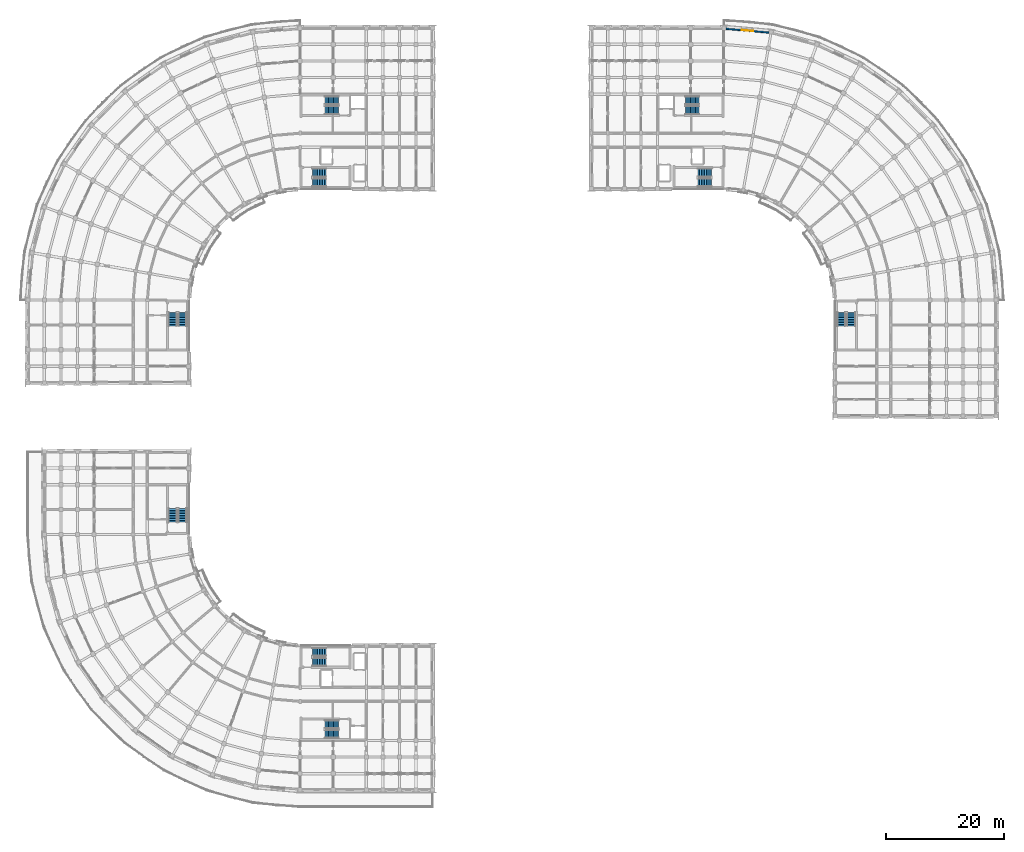
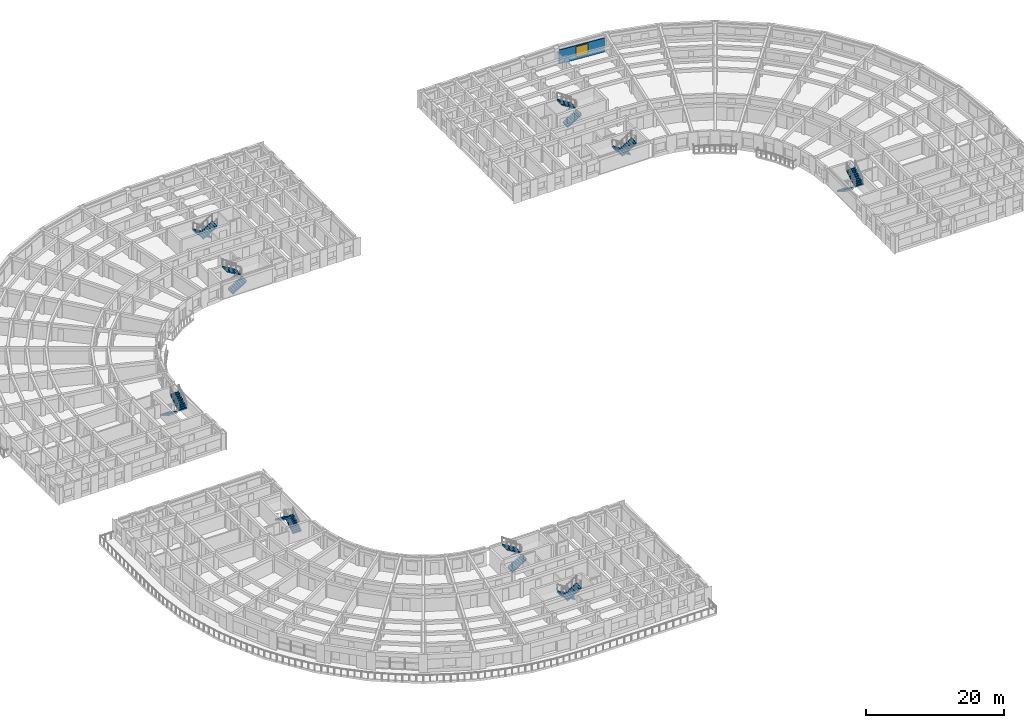
# One storey, part 38 of 57: 18 stair flights, 1 wall, 1 window, 1 opening, 9 elements without a shape of their own.
"""IFC4 building model written with IfcOpenShell, lengths in metres."""

import ifcopenshell
import ifcopenshell.guid

model = None  # the IFC model being written
_history = None  # IfcOwnerHistory: only IFC2X3 demands one
_inside = {}  # id of a spatial element -> (the spatial element, [elements in it])
_under = {}  # id of a project, library or spatial element -> (it, [spatial elements below it])
_declared = {}  # id of a project -> (the project, [libraries it declares])
_typed = {}  # id of a type object -> (the type object, [elements of that type])
_made_of = {}  # id of a material, layer set ... -> (it, [elements and type objects made of it])


def new_model(schema):
    """Start an empty IFC model of exactly this schema.

    Asked for "IFC4X3", IfcOpenShell would pick the latest addendum, in which some entities
    have other attributes; the version numbers below select the first issue.
    IFC2X3 requires an IfcOwnerHistory on every rooted entity: one is made here for all.
    """
    global model, _history
    if schema == "IFC4X3":
        model = ifcopenshell.file(schema_version=(4, 3, 0, 0))
    else:
        model = ifcopenshell.file(schema=schema)
    _inside.clear()
    _under.clear()
    _declared.clear()
    _typed.clear()
    _made_of.clear()
    _history = None
    if model.schema == "IFC2X3":
        org = make("IfcOrganization", Name="unknown")
        user = make(
            "IfcPersonAndOrganization",
            ThePerson=make("IfcPerson", FamilyName="unknown"),
            TheOrganization=org,
        )
        app = make(
            "IfcApplication",
            ApplicationDeveloper=org,
            Version="unknown",
            ApplicationFullName="unknown",
            ApplicationIdentifier="unknown",
        )
        _history = make(
            "IfcOwnerHistory",
            OwningUser=user,
            OwningApplication=app,
            ChangeAction="ADDED",
            CreationDate=0,
        )
    return model


def make(cls, **values):
    """One entity of the class cls with the attributes given. An attribute that is None is left unset."""
    return model.create_entity(
        cls, **{name: value for name, value in values.items() if value is not None}
    )


def rooted(cls, **values):
    """An entity with a GlobalId (a new one), such as an element, a storey or a relation."""
    return make(cls, GlobalId=ifcopenshell.guid.new(), OwnerHistory=_history, **values)


def si_unit(unit_type, name, prefix=None):
    """IfcSIUnit, for example si_unit("LENGTHUNIT", "METRE", prefix="MILLI")."""
    return make("IfcSIUnit", UnitType=unit_type, Prefix=prefix, Name=name)


def assignment(units):
    """IfcUnitAssignment: the units of a project."""
    return None if units is None else make("IfcUnitAssignment", Units=units)


def point(xyz):
    """IfcCartesianPoint."""
    return None if xyz is None else make("IfcCartesianPoint", Coordinates=xyz)


def direction(xyz):
    """IfcDirection."""
    return None if xyz is None else make("IfcDirection", DirectionRatios=xyz)


def frame(location, z_axis=None, x_axis=None):
    """IfcAxis2Placement3D, a coordinate frame: its origin and axes. An axis left out is left unset."""
    return make(
        "IfcAxis2Placement3D",
        Location=point(location),
        Axis=direction(z_axis),
        RefDirection=direction(x_axis),
    )


def frame_2d(location, x_axis=None):
    """IfcAxis2Placement2D, a coordinate frame in the plane: its origin and x axis."""
    return make(
        "IfcAxis2Placement2D", Location=point(location), RefDirection=direction(x_axis)
    )


def origin():
    """The frame at (0, 0, 0) with its axes left unset."""
    return frame((0.0, 0.0, 0.0))


def place(relative_to, where):
    """IfcLocalPlacement: puts the frame where relative to a parent placement (None: the world)."""
    return make(
        "IfcLocalPlacement", PlacementRelTo=relative_to, RelativePlacement=where
    )


def context(
    kind, dimensions, precision=None, world=None, true_north=None, identifier=None
):
    """IfcGeometricRepresentationContext, for example the 3D "Model" context."""
    return make(
        "IfcGeometricRepresentationContext",
        ContextIdentifier=identifier,
        ContextType=kind,
        CoordinateSpaceDimension=dimensions,
        Precision=precision,
        WorldCoordinateSystem=world,
        TrueNorth=true_north,
    )


def subcontext(parent, identifier, kind, view, scale=None):
    """IfcGeometricRepresentationSubContext, for example "Body" below "Model"."""
    return make(
        "IfcGeometricRepresentationSubContext",
        ContextIdentifier=identifier,
        ContextType=kind,
        ParentContext=parent,
        TargetScale=scale,
        TargetView=view,
    )


def project(units=None, contexts=None):
    """IfcProject with its units and contexts."""
    return rooted(
        "IfcProject",
        Name="project",
        RepresentationContexts=contexts,
        UnitsInContext=assignment(units),
    )


def spatial(cls, under=None, at=None, **own):
    """A site, building, storey or space (cls), placed at a placement, below another one or the project."""
    s = rooted(cls, ObjectPlacement=at, **own)
    if under is not None:
        _under.setdefault(under.id(), (under, []))[1].append(s)
    return s


def polyline(points):
    """IfcPolyline through the points."""
    return make("IfcPolyline", Points=[point(p) for p in points])


def profile(cls, at=None, kind="AREA", **sizes):
    """A parametric profile (cls). Its sizes go by their IFC names, for example OverallWidth=200.0."""
    return make(cls, ProfileType=kind, Position=at, **sizes)


def rectangle(**sizes):
    """IfcRectangleProfileDef."""
    return profile("IfcRectangleProfileDef", **sizes)


def outline(outer, holes=None, kind="AREA"):
    """IfcArbitraryClosedProfileDef: a profile drawn as a closed curve; with holes, ...WithVoids."""
    if holes is None:
        return make("IfcArbitraryClosedProfileDef", ProfileType=kind, OuterCurve=outer)
    return make(
        "IfcArbitraryProfileDefWithVoids",
        ProfileType=kind,
        OuterCurve=outer,
        InnerCurves=holes,
    )


def extrude(swept, where, along, depth):
    """IfcExtrudedAreaSolid: the profile swept, set in the frame where, extruded along a direction by depth."""
    return make(
        "IfcExtrudedAreaSolid",
        SweptArea=swept,
        Position=where,
        ExtrudedDirection=direction(along),
        Depth=depth,
    )


def shape(context_of_items, identifier, shape_type, items):
    """IfcShapeRepresentation: the items that make up one representation, for example the "Body"."""
    return make(
        "IfcShapeRepresentation",
        ContextOfItems=context_of_items,
        RepresentationIdentifier=identifier,
        RepresentationType=shape_type,
        Items=items,
    )


def material(Name=None, Category=None):
    """IfcMaterial."""
    return make("IfcMaterial", Name=Name, Category=Category)


def layer(
    of_material, thickness, ventilated=None, Name=None, Category=None, Priority=None
):
    """IfcMaterialLayer: one layer of a wall or slab, of a material (None: an air gap)."""
    return make(
        "IfcMaterialLayer",
        Material=of_material,
        LayerThickness=thickness,
        IsVentilated=ventilated,
        Name=Name,
        Category=Category,
        Priority=Priority,
    )


def layer_set(layers, Name=None):
    """IfcMaterialLayerSet."""
    return make("IfcMaterialLayerSet", MaterialLayers=layers, LayerSetName=Name)


def made_of(thing, what):
    """Note that an element or type object is made of a material, layer set ...; save() writes the relation."""
    if what is not None:
        _made_of.setdefault(what.id(), (what, []))[1].append(thing)
    return thing


def type_object(cls, material=None, **own):
    """A type object (cls), such as IfcWallType, which elements share."""
    return made_of(rooted(cls, **own), material)


def element(
    cls,
    number,
    at=None,
    inside=None,
    cuts=None,
    type_object=None,
    material=None,
    context=None,
    identifier="Body",
    shape_type=None,
    held_by="IfcProductDefinitionShape",
    body=None,
    shapes=None,
    **own,
):
    """One element of the class cls, such as IfcWall. Its Tag is "e" and its number.

    at: its placement. inside: the storey or other place that contains it. cuts: it is an
    opening in that element (IfcRelVoidsElement). A single representation is given by context,
    identifier, shape_type and body (its items); several are given by shapes. held_by: the class
    of the entity that holds the representations. save() writes the other relations.
    """
    e = rooted(cls, Tag="e%d" % number, ObjectPlacement=at, **own)
    if body is not None:
        shapes = [shape(context, identifier, shape_type, body)]
    if shapes is not None:
        e.Representation = make(held_by, Representations=shapes)
    if inside is not None:
        _inside.setdefault(inside.id(), (inside, []))[1].append(e)
    if cuts is not None:
        rooted(
            "IfcRelVoidsElement", RelatingBuildingElement=cuts, RelatedOpeningElement=e
        )
    if type_object is not None:
        _typed.setdefault(type_object.id(), (type_object, []))[1].append(e)
    return made_of(e, material)


def fill(opening, filler):
    """IfcRelFillsElement: the door or window that sits in an opening."""
    return rooted(
        "IfcRelFillsElement",
        RelatingOpeningElement=opening,
        RelatedBuildingElement=filler,
    )


def aggregate(whole, parts):
    """IfcRelAggregates: a whole, such as a stair, and the parts it consists of."""
    return rooted("IfcRelAggregates", RelatingObject=whole, RelatedObjects=parts)


def save(model, path):
    """Write the relations noted so far, then the file.

    IfcRelAggregates (storeys below a building ...), IfcRelContainedInSpatialStructure (elements
    in a storey), IfcRelDefinesByType, IfcRelAssociatesMaterial and IfcRelDeclares: one each for
    every whole, place, type object, material and project.
    """
    for whole, parts in _under.values():
        aggregate(whole, parts)
    for where, things in _inside.values():
        rooted(
            "IfcRelContainedInSpatialStructure",
            RelatedElements=things,
            RelatingStructure=where,
        )
    for kind, things in _typed.values():
        rooted("IfcRelDefinesByType", RelatedObjects=things, RelatingType=kind)
    for what, things in _made_of.values():
        rooted("IfcRelAssociatesMaterial", RelatedObjects=things, RelatingMaterial=what)
    for by, libraries in _declared.values():
        rooted("IfcRelDeclares", RelatingContext=by, RelatedDefinitions=libraries)
    model.write(path)


model = new_model("IFC4")

# Units and contexts
model_context = context("Model", 3, precision=1e-05, world=origin(), true_north=direction((0.0, 1.0)))
body_context = subcontext(model_context, "Body", "Model", "MODEL_VIEW")
ifc_project = project(units=[si_unit("LENGTHUNIT", "METRE"), si_unit("AREAUNIT", "SQUARE_METRE"), si_unit("VOLUMEUNIT", "CUBIC_METRE"), si_unit("PLANEANGLEUNIT", "RADIAN"), si_unit("MASSUNIT", "GRAM", prefix="KILO")], contexts=[model_context])

# Site, building, storey
site_placement = place(None, origin())
site = spatial("IfcSite", under=ifc_project, at=site_placement, CompositionType="ELEMENT")
building_placement = place(site_placement, origin())
building = spatial("IfcBuilding", under=site, at=building_placement, Name="Kiranvali Square Residences", CompositionType="ELEMENT")
storey_placement = place(building_placement, frame((0.0, 0.0, 21.300048828125)))
storey = spatial("IfcBuildingStorey", under=building, at=storey_placement, Name="L06", CompositionType="ELEMENT", Elevation=21.300048828125)

# Wall, opening, window
ifc_material_1 = material(Name="Breathable lime-rendered clay brick masonry", Category="masonry")
ifc_layer = layer(ifc_material_1, 0.25)
ifc_layer_set = layer_set([ifc_layer], Name="Breathable lime-rendered clay brick masonry")
wall_type = type_object("IfcWallType", Name="WL-EXT-250", PredefinedType="STANDARD", material=ifc_layer_set)
wall_placement = place(storey_placement, frame((120.16357421875, 133.642822265625, 0.0), z_axis=(0.0, 0.0, 1.0), x_axis=(0.99619214922, -0.08718487158, 0.0)))
wall = element("IfcWall", 1, at=wall_placement, inside=storey, type_object=wall_type, Name="L06 exterior wall B-L06-CRV-00", PredefinedType="STANDARD", context=body_context, shape_type="SweptSolid", body=[
    extrude(rectangle(XDim=7.2666015625, YDim=0.25, at=frame_2d((3.63330078125, 0.0))), origin(), (0.0, 0.0, 1.0), 2.471923828125),
])
opening_placement = place(wall_placement, frame((2.658203125, 0.0, 0.422119140625)))
opening = element("IfcOpeningElement", 2, at=opening_placement, cuts=wall, Name="Opening W-12", PredefinedType="OPENING", context=body_context, shape_type="SweptSolid", body=[
    extrude(rectangle(XDim=1.949951171875, YDim=1.85009765625, at=frame_2d((0.97509765625, 0.925048828125))), frame((0.0, 0.135009765625, 0.0), z_axis=(0.0, -1.0, 0.0), x_axis=(1.0, 0.0, 0.0)), (0.0, 0.0, 1.0), 0.27001953125),
])
ifc_material_2 = material(Name="Solar-control low-e double glazing", Category="glass")
window_type = type_object("IfcWindowType", Name="WIN-RES-1950x1850", PartitioningType="DOUBLE_PANEL_VERTICAL", PredefinedType="WINDOW", material=ifc_material_2)
window_placement = place(opening_placement, origin())
window = element("IfcWindow", 3, at=window_placement, inside=storey, type_object=window_type, Name="L06 recessed window B-L06-CRV-00", OverallHeight=1.85009765625, OverallWidth=1.949951171875, PartitioningType="DOUBLE_PANEL_VERTICAL", PredefinedType="WINDOW", context=body_context, shape_type="SweptSolid", body=[
    extrude(rectangle(XDim=1.949951171875, YDim=1.85009765625, at=frame_2d((0.97509765625, 0.925048828125))), frame((0.0, 0.030029296875, 0.0), z_axis=(0.0, -1.0, 0.0), x_axis=(1.0, 0.0, 0.0)), (0.0, 0.0, 1.0), 0.06005859375),
])
fill(opening, window)

# Stair, stair flights
ifc_material_3 = material(Name="Concrete M35 (35 MPa)", Category="concrete")
stair_type = type_object("IfcStairType", Name="ST-CORE-1700", PredefinedType="HALF_TURN_STAIR", material=ifc_material_3)
stair_1_placement = place(storey_placement, origin())
stair_1 = element("IfcStair", 4, at=stair_1_placement, inside=storey, type_object=stair_type, Name="L06 Block A Firefighting Exit Stair 1", PredefinedType="HALF_TURN_STAIR")
stair_flight_type = type_object("IfcStairFlightType", Name="STF-1700", PredefinedType="STRAIGHT", material=ifc_material_3)
stair_flight_1_placement = place(storey_placement, frame((54.699951171875, 121.52490234375, 0.0), z_axis=(0.0, 0.0, 1.0), x_axis=(-1.0, 0.0, 0.0)))
stair_flight_1 = element("IfcStairFlight", 5, at=stair_flight_1_placement, type_object=stair_flight_type, Name="ST-A1 flight 1", NumberOfRisers=9, NumberOfTreads=8, PredefinedType="STRAIGHT", RiserHeight=0.175, TreadLength=0.285, context=body_context, shape_type="SweptSolid", body=[
    extrude(outline(polyline([(-0.02001953125, -0.14990234375), (-0.02001953125, 0.0), (0.0, 0.0), (0.0, 0.175048828125), (0.284912109375, 0.175048828125), (0.284912109375, 0.35009765625), (0.570068359375, 0.35009765625), (0.570068359375, 0.52490234375), (0.85498046875, 0.52490234375), (0.85498046875, 0.699951171875), (1.139892578125, 0.699951171875), (1.139892578125, 0.875), (1.425048828125, 0.875), (1.425048828125, 1.050048828125), (1.7099609375, 1.050048828125), (1.7099609375, 1.22509765625), (1.9951171875, 1.22509765625), (1.9951171875, 1.39990234375), (2.280029296875, 1.39990234375), (2.280029296875, 1.574951171875), (2.300048828125, 1.574951171875), (2.300048828125, 1.22412109375), (2.280029296875, 1.22412109375), (0.0, -0.14990234375), (-0.02001953125, -0.14990234375)])), frame((0.0, 0.72509765625, 0.0), z_axis=(0.0, -1.0, 0.0), x_axis=(1.0, 0.0, 0.0)), (0.0, 0.0, 1.0), 1.449951171875),
])
stair_flight_2_placement = place(storey_placement, frame((52.419921875, 119.875, 1.574951171875), z_axis=(0.0, 0.0, 1.0), x_axis=(1.0, 0.0, 0.0)))
stair_flight_2 = element("IfcStairFlight", 6, at=stair_flight_2_placement, type_object=stair_flight_type, Name="ST-A1 flight 2", NumberOfRisers=9, NumberOfTreads=8, PredefinedType="STRAIGHT", RiserHeight=0.175, TreadLength=0.285, context=body_context, shape_type="SweptSolid", body=[
    extrude(outline(polyline([(-0.02001953125, -0.14990234375), (-0.02001953125, 0.0), (0.0, 0.0), (0.0, 0.175048828125), (0.284912109375, 0.175048828125), (0.284912109375, 0.35009765625), (0.570068359375, 0.35009765625), (0.570068359375, 0.52490234375), (0.85498046875, 0.52490234375), (0.85498046875, 0.699951171875), (1.139892578125, 0.699951171875), (1.139892578125, 0.875), (1.425048828125, 0.875), (1.425048828125, 1.050048828125), (1.7099609375, 1.050048828125), (1.7099609375, 1.22509765625), (1.9951171875, 1.22509765625), (1.9951171875, 1.39990234375), (2.280029296875, 1.39990234375), (2.280029296875, 1.574951171875), (2.300048828125, 1.574951171875), (2.300048828125, 1.22412109375), (2.280029296875, 1.22412109375), (0.0, -0.14990234375), (-0.02001953125, -0.14990234375)])), frame((0.0, 0.72509765625, 0.0), z_axis=(0.0, -1.0, 0.0), x_axis=(1.0, 0.0, 0.0)), (0.0, 0.0, 1.0), 1.449951171875),
])
aggregate(stair_1, [stair_flight_1, stair_flight_2])

stair_2_placement = place(storey_placement, origin())
stair_2 = element("IfcStair", 7, at=stair_2_placement, inside=storey, type_object=stair_type, Name="L06 Block A Protected Exit Stair 2", PredefinedType="HALF_TURN_STAIR")
stair_flight_3_placement = place(storey_placement, frame((50.300048828125, 107.675048828125, 0.0), z_axis=(0.0, 0.0, 1.0), x_axis=(1.0, 0.0, 0.0)))
stair_flight_3 = element("IfcStairFlight", 8, at=stair_flight_3_placement, type_object=stair_flight_type, Name="ST-A2 flight 1", NumberOfRisers=9, NumberOfTreads=8, PredefinedType="STRAIGHT", RiserHeight=0.175, TreadLength=0.285, context=body_context, shape_type="SweptSolid", body=[
    extrude(outline(polyline([(-0.02001953125, -0.14990234375), (-0.02001953125, 0.0), (0.0, 0.0), (0.0, 0.175048828125), (0.284912109375, 0.175048828125), (0.284912109375, 0.35009765625), (0.570068359375, 0.35009765625), (0.570068359375, 0.52490234375), (0.85498046875, 0.52490234375), (0.85498046875, 0.699951171875), (1.139892578125, 0.699951171875), (1.139892578125, 0.875), (1.425048828125, 0.875), (1.425048828125, 1.050048828125), (1.7099609375, 1.050048828125), (1.7099609375, 1.22509765625), (1.9951171875, 1.22509765625), (1.9951171875, 1.39990234375), (2.280029296875, 1.39990234375), (2.280029296875, 1.574951171875), (2.300048828125, 1.574951171875), (2.300048828125, 1.22412109375), (2.280029296875, 1.22412109375), (0.0, -0.14990234375), (-0.02001953125, -0.14990234375)])), frame((0.0, 0.72509765625, 0.0), z_axis=(0.0, -1.0, 0.0), x_axis=(1.0, 0.0, 0.0)), (0.0, 0.0, 1.0), 1.449951171875),
])
stair_flight_4_placement = place(storey_placement, frame((52.580078125, 109.324951171875, 1.574951171875), z_axis=(0.0, 0.0, 1.0), x_axis=(-1.0, 0.0, 0.0)))
stair_flight_4 = element("IfcStairFlight", 9, at=stair_flight_4_placement, type_object=stair_flight_type, Name="ST-A2 flight 2", NumberOfRisers=9, NumberOfTreads=8, PredefinedType="STRAIGHT", RiserHeight=0.175, TreadLength=0.285, context=body_context, shape_type="SweptSolid", body=[
    extrude(outline(polyline([(-0.02001953125, -0.14990234375), (-0.02001953125, 0.0), (0.0, 0.0), (0.0, 0.175048828125), (0.284912109375, 0.175048828125), (0.284912109375, 0.35009765625), (0.570068359375, 0.35009765625), (0.570068359375, 0.52490234375), (0.85498046875, 0.52490234375), (0.85498046875, 0.699951171875), (1.139892578125, 0.699951171875), (1.139892578125, 0.875), (1.425048828125, 0.875), (1.425048828125, 1.050048828125), (1.7099609375, 1.050048828125), (1.7099609375, 1.22509765625), (1.9951171875, 1.22509765625), (1.9951171875, 1.39990234375), (2.280029296875, 1.39990234375), (2.280029296875, 1.574951171875), (2.300048828125, 1.574951171875), (2.300048828125, 1.22412109375), (2.280029296875, 1.22412109375), (0.0, -0.14990234375), (-0.02001953125, -0.14990234375)])), frame((0.0, 0.72509765625, 0.0), z_axis=(0.0, -1.0, 0.0), x_axis=(1.0, 0.0, 0.0)), (0.0, 0.0, 1.0), 1.449951171875),
])
aggregate(stair_2, [stair_flight_3, stair_flight_4])

stair_3_placement = place(storey_placement, origin())
stair_3 = element("IfcStair", 10, at=stair_3_placement, inside=storey, type_object=stair_type, Name="L06 Block A Wing Protected Exit Stair 3", PredefinedType="HALF_TURN_STAIR")
stair_flight_5_placement = place(storey_placement, frame((26.675048828125, 85.699951171875, 0.0), z_axis=(0.0, 0.0, 1.0), x_axis=(0.0, -1.0, 0.0)))
stair_flight_5 = element("IfcStairFlight", 11, at=stair_flight_5_placement, type_object=stair_flight_type, Name="ST-A3 flight 1", NumberOfRisers=9, NumberOfTreads=8, PredefinedType="STRAIGHT", RiserHeight=0.175, TreadLength=0.285, context=body_context, shape_type="SweptSolid", body=[
    extrude(outline(polyline([(-0.02001953125, -0.14990234375), (-0.02001953125, 0.0), (0.0, 0.0), (0.0, 0.175048828125), (0.284912109375, 0.175048828125), (0.284912109375, 0.35009765625), (0.570068359375, 0.35009765625), (0.570068359375, 0.52490234375), (0.85498046875, 0.52490234375), (0.85498046875, 0.699951171875), (1.139892578125, 0.699951171875), (1.139892578125, 0.875), (1.425048828125, 0.875), (1.425048828125, 1.050048828125), (1.7099609375, 1.050048828125), (1.7099609375, 1.22509765625), (1.9951171875, 1.22509765625), (1.9951171875, 1.39990234375), (2.280029296875, 1.39990234375), (2.280029296875, 1.574951171875), (2.300048828125, 1.574951171875), (2.300048828125, 1.22412109375), (2.280029296875, 1.22412109375), (0.0, -0.14990234375), (-0.02001953125, -0.14990234375)])), frame((0.0, 0.72509765625, 0.0), z_axis=(0.0, -1.0, 0.0), x_axis=(1.0, 0.0, 0.0)), (0.0, 0.0, 1.0), 1.449951171875),
])
stair_flight_6_placement = place(storey_placement, frame((28.324951171875, 83.419921875, 1.574951171875), z_axis=(0.0, 0.0, 1.0), x_axis=(0.0, 1.0, 0.0)))
stair_flight_6 = element("IfcStairFlight", 12, at=stair_flight_6_placement, type_object=stair_flight_type, Name="ST-A3 flight 2", NumberOfRisers=9, NumberOfTreads=8, PredefinedType="STRAIGHT", RiserHeight=0.175, TreadLength=0.285, context=body_context, shape_type="SweptSolid", body=[
    extrude(outline(polyline([(-0.02001953125, -0.14990234375), (-0.02001953125, 0.0), (0.0, 0.0), (0.0, 0.175048828125), (0.284912109375, 0.175048828125), (0.284912109375, 0.35009765625), (0.570068359375, 0.35009765625), (0.570068359375, 0.52490234375), (0.85498046875, 0.52490234375), (0.85498046875, 0.699951171875), (1.139892578125, 0.699951171875), (1.139892578125, 0.875), (1.425048828125, 0.875), (1.425048828125, 1.050048828125), (1.7099609375, 1.050048828125), (1.7099609375, 1.22509765625), (1.9951171875, 1.22509765625), (1.9951171875, 1.39990234375), (2.280029296875, 1.39990234375), (2.280029296875, 1.574951171875), (2.300048828125, 1.574951171875), (2.300048828125, 1.22412109375), (2.280029296875, 1.22412109375), (0.0, -0.14990234375), (-0.02001953125, -0.14990234375)])), frame((0.0, 0.72509765625, 0.0), z_axis=(0.0, -1.0, 0.0), x_axis=(1.0, 0.0, 0.0)), (0.0, 0.0, 1.0), 1.449951171875),
])
aggregate(stair_3, [stair_flight_5, stair_flight_6])

stair_4_placement = place(storey_placement, origin())
stair_4 = element("IfcStair", 13, at=stair_4_placement, inside=storey, type_object=stair_type, Name="L06 Block B Firefighting Exit Stair 1", PredefinedType="HALF_TURN_STAIR")
stair_flight_7_placement = place(storey_placement, frame((113.300048828125, 119.875, 0.0), z_axis=(0.0, 0.0, 1.0), x_axis=(1.0, 0.0, 0.0)))
stair_flight_7 = element("IfcStairFlight", 14, at=stair_flight_7_placement, type_object=stair_flight_type, Name="ST-B1 flight 1", NumberOfRisers=9, NumberOfTreads=8, PredefinedType="STRAIGHT", RiserHeight=0.175, TreadLength=0.285, context=body_context, shape_type="SweptSolid", body=[
    extrude(outline(polyline([(-0.02001953125, -0.14990234375), (-0.02001953125, 0.0), (0.0, 0.0), (0.0, 0.175048828125), (0.284912109375, 0.175048828125), (0.284912109375, 0.35009765625), (0.570068359375, 0.35009765625), (0.570068359375, 0.52490234375), (0.85498046875, 0.52490234375), (0.85498046875, 0.699951171875), (1.139892578125, 0.699951171875), (1.139892578125, 0.875), (1.425048828125, 0.875), (1.425048828125, 1.050048828125), (1.7099609375, 1.050048828125), (1.7099609375, 1.22509765625), (1.9951171875, 1.22509765625), (1.9951171875, 1.39990234375), (2.280029296875, 1.39990234375), (2.280029296875, 1.574951171875), (2.300048828125, 1.574951171875), (2.300048828125, 1.22412109375), (2.280029296875, 1.22412109375), (0.0, -0.14990234375), (-0.02001953125, -0.14990234375)])), frame((0.0, 0.72509765625, 0.0), z_axis=(0.0, -1.0, 0.0), x_axis=(1.0, 0.0, 0.0)), (0.0, 0.0, 1.0), 1.449951171875),
])
stair_flight_8_placement = place(storey_placement, frame((115.580078125, 121.52490234375, 1.574951171875), z_axis=(0.0, 0.0, 1.0), x_axis=(-1.0, 0.0, 0.0)))
stair_flight_8 = element("IfcStairFlight", 15, at=stair_flight_8_placement, type_object=stair_flight_type, Name="ST-B1 flight 2", NumberOfRisers=9, NumberOfTreads=8, PredefinedType="STRAIGHT", RiserHeight=0.175, TreadLength=0.285, context=body_context, shape_type="SweptSolid", body=[
    extrude(outline(polyline([(-0.02001953125, -0.14990234375), (-0.02001953125, 0.0), (0.0, 0.0), (0.0, 0.175048828125), (0.284912109375, 0.175048828125), (0.284912109375, 0.35009765625), (0.570068359375, 0.35009765625), (0.570068359375, 0.52490234375), (0.85498046875, 0.52490234375), (0.85498046875, 0.699951171875), (1.139892578125, 0.699951171875), (1.139892578125, 0.875), (1.425048828125, 0.875), (1.425048828125, 1.050048828125), (1.7099609375, 1.050048828125), (1.7099609375, 1.22509765625), (1.9951171875, 1.22509765625), (1.9951171875, 1.39990234375), (2.280029296875, 1.39990234375), (2.280029296875, 1.574951171875), (2.300048828125, 1.574951171875), (2.300048828125, 1.22412109375), (2.280029296875, 1.22412109375), (0.0, -0.14990234375), (-0.02001953125, -0.14990234375)])), frame((0.0, 0.72509765625, 0.0), z_axis=(0.0, -1.0, 0.0), x_axis=(1.0, 0.0, 0.0)), (0.0, 0.0, 1.0), 1.449951171875),
])
aggregate(stair_4, [stair_flight_7, stair_flight_8])

stair_5_placement = place(storey_placement, origin())
stair_5 = element("IfcStair", 16, at=stair_5_placement, inside=storey, type_object=stair_type, Name="L06 Block B Protected Exit Stair 2", PredefinedType="HALF_TURN_STAIR")
stair_flight_9_placement = place(storey_placement, frame((117.699951171875, 109.324951171875, 0.0), z_axis=(0.0, 0.0, 1.0), x_axis=(-1.0, 0.0, 0.0)))
stair_flight_9 = element("IfcStairFlight", 17, at=stair_flight_9_placement, type_object=stair_flight_type, Name="ST-B2 flight 1", NumberOfRisers=9, NumberOfTreads=8, PredefinedType="STRAIGHT", RiserHeight=0.175, TreadLength=0.285, context=body_context, shape_type="SweptSolid", body=[
    extrude(outline(polyline([(-0.02001953125, -0.14990234375), (-0.02001953125, 0.0), (0.0, 0.0), (0.0, 0.175048828125), (0.284912109375, 0.175048828125), (0.284912109375, 0.35009765625), (0.570068359375, 0.35009765625), (0.570068359375, 0.52490234375), (0.85498046875, 0.52490234375), (0.85498046875, 0.699951171875), (1.139892578125, 0.699951171875), (1.139892578125, 0.875), (1.425048828125, 0.875), (1.425048828125, 1.050048828125), (1.7099609375, 1.050048828125), (1.7099609375, 1.22509765625), (1.9951171875, 1.22509765625), (1.9951171875, 1.39990234375), (2.280029296875, 1.39990234375), (2.280029296875, 1.574951171875), (2.300048828125, 1.574951171875), (2.300048828125, 1.22412109375), (2.280029296875, 1.22412109375), (0.0, -0.14990234375), (-0.02001953125, -0.14990234375)])), frame((0.0, 0.72509765625, 0.0), z_axis=(0.0, -1.0, 0.0), x_axis=(1.0, 0.0, 0.0)), (0.0, 0.0, 1.0), 1.449951171875),
])
stair_flight_10_placement = place(storey_placement, frame((115.419921875, 107.675048828125, 1.574951171875), z_axis=(0.0, 0.0, 1.0), x_axis=(1.0, 0.0, 0.0)))
stair_flight_10 = element("IfcStairFlight", 18, at=stair_flight_10_placement, type_object=stair_flight_type, Name="ST-B2 flight 2", NumberOfRisers=9, NumberOfTreads=8, PredefinedType="STRAIGHT", RiserHeight=0.175, TreadLength=0.285, context=body_context, shape_type="SweptSolid", body=[
    extrude(outline(polyline([(-0.02001953125, -0.14990234375), (-0.02001953125, 0.0), (0.0, 0.0), (0.0, 0.175048828125), (0.284912109375, 0.175048828125), (0.284912109375, 0.35009765625), (0.570068359375, 0.35009765625), (0.570068359375, 0.52490234375), (0.85498046875, 0.52490234375), (0.85498046875, 0.699951171875), (1.139892578125, 0.699951171875), (1.139892578125, 0.875), (1.425048828125, 0.875), (1.425048828125, 1.050048828125), (1.7099609375, 1.050048828125), (1.7099609375, 1.22509765625), (1.9951171875, 1.22509765625), (1.9951171875, 1.39990234375), (2.280029296875, 1.39990234375), (2.280029296875, 1.574951171875), (2.300048828125, 1.574951171875), (2.300048828125, 1.22412109375), (2.280029296875, 1.22412109375), (0.0, -0.14990234375), (-0.02001953125, -0.14990234375)])), frame((0.0, 0.72509765625, 0.0), z_axis=(0.0, -1.0, 0.0), x_axis=(1.0, 0.0, 0.0)), (0.0, 0.0, 1.0), 1.449951171875),
])
aggregate(stair_5, [stair_flight_9, stair_flight_10])

stair_6_placement = place(storey_placement, origin())
stair_6 = element("IfcStair", 19, at=stair_6_placement, inside=storey, type_object=stair_type, Name="L06 Block B Wing Protected Exit Stair 3", PredefinedType="HALF_TURN_STAIR")
stair_flight_11_placement = place(storey_placement, frame((139.675048828125, 85.699951171875, 0.0), z_axis=(0.0, 0.0, 1.0), x_axis=(0.0, -1.0, 0.0)))
stair_flight_11 = element("IfcStairFlight", 20, at=stair_flight_11_placement, type_object=stair_flight_type, Name="ST-B3 flight 1", NumberOfRisers=9, NumberOfTreads=8, PredefinedType="STRAIGHT", RiserHeight=0.175, TreadLength=0.285, context=body_context, shape_type="SweptSolid", body=[
    extrude(outline(polyline([(-0.02001953125, -0.14990234375), (-0.02001953125, 0.0), (0.0, 0.0), (0.0, 0.175048828125), (0.284912109375, 0.175048828125), (0.284912109375, 0.35009765625), (0.570068359375, 0.35009765625), (0.570068359375, 0.52490234375), (0.85498046875, 0.52490234375), (0.85498046875, 0.699951171875), (1.139892578125, 0.699951171875), (1.139892578125, 0.875), (1.425048828125, 0.875), (1.425048828125, 1.050048828125), (1.7099609375, 1.050048828125), (1.7099609375, 1.22509765625), (1.9951171875, 1.22509765625), (1.9951171875, 1.39990234375), (2.280029296875, 1.39990234375), (2.280029296875, 1.574951171875), (2.300048828125, 1.574951171875), (2.300048828125, 1.22412109375), (2.280029296875, 1.22412109375), (0.0, -0.14990234375), (-0.02001953125, -0.14990234375)])), frame((0.0, 0.72509765625, 0.0), z_axis=(0.0, -1.0, 0.0), x_axis=(1.0, 0.0, 0.0)), (0.0, 0.0, 1.0), 1.449951171875),
])
stair_flight_12_placement = place(storey_placement, frame((141.324951171875, 83.419921875, 1.574951171875), z_axis=(0.0, 0.0, 1.0), x_axis=(0.0, 1.0, 0.0)))
stair_flight_12 = element("IfcStairFlight", 21, at=stair_flight_12_placement, type_object=stair_flight_type, Name="ST-B3 flight 2", NumberOfRisers=9, NumberOfTreads=8, PredefinedType="STRAIGHT", RiserHeight=0.175, TreadLength=0.285, context=body_context, shape_type="SweptSolid", body=[
    extrude(outline(polyline([(-0.02001953125, -0.14990234375), (-0.02001953125, 0.0), (0.0, 0.0), (0.0, 0.175048828125), (0.284912109375, 0.175048828125), (0.284912109375, 0.35009765625), (0.570068359375, 0.35009765625), (0.570068359375, 0.52490234375), (0.85498046875, 0.52490234375), (0.85498046875, 0.699951171875), (1.139892578125, 0.699951171875), (1.139892578125, 0.875), (1.425048828125, 0.875), (1.425048828125, 1.050048828125), (1.7099609375, 1.050048828125), (1.7099609375, 1.22509765625), (1.9951171875, 1.22509765625), (1.9951171875, 1.39990234375), (2.280029296875, 1.39990234375), (2.280029296875, 1.574951171875), (2.300048828125, 1.574951171875), (2.300048828125, 1.22412109375), (2.280029296875, 1.22412109375), (0.0, -0.14990234375), (-0.02001953125, -0.14990234375)])), frame((0.0, 0.72509765625, 0.0), z_axis=(0.0, -1.0, 0.0), x_axis=(1.0, 0.0, 0.0)), (0.0, 0.0, 1.0), 1.449951171875),
])
aggregate(stair_6, [stair_flight_11, stair_flight_12])

stair_7_placement = place(storey_placement, origin())
stair_7 = element("IfcStair", 22, at=stair_7_placement, inside=storey, type_object=stair_type, Name="L06 Block C Firefighting Exit Stair 1", PredefinedType="HALF_TURN_STAIR")
stair_flight_13_placement = place(storey_placement, frame((54.699951171875, 16.125, 0.0), z_axis=(0.0, 0.0, 1.0), x_axis=(-1.0, 0.0, 0.0)))
stair_flight_13 = element("IfcStairFlight", 23, at=stair_flight_13_placement, type_object=stair_flight_type, Name="ST-C1 flight 1", NumberOfRisers=9, NumberOfTreads=8, PredefinedType="STRAIGHT", RiserHeight=0.175, TreadLength=0.285, context=body_context, shape_type="SweptSolid", body=[
    extrude(outline(polyline([(-0.02001953125, -0.14990234375), (-0.02001953125, 0.0), (0.0, 0.0), (0.0, 0.175048828125), (0.284912109375, 0.175048828125), (0.284912109375, 0.35009765625), (0.570068359375, 0.35009765625), (0.570068359375, 0.52490234375), (0.85498046875, 0.52490234375), (0.85498046875, 0.699951171875), (1.139892578125, 0.699951171875), (1.139892578125, 0.875), (1.425048828125, 0.875), (1.425048828125, 1.050048828125), (1.7099609375, 1.050048828125), (1.7099609375, 1.22509765625), (1.9951171875, 1.22509765625), (1.9951171875, 1.39990234375), (2.280029296875, 1.39990234375), (2.280029296875, 1.574951171875), (2.300048828125, 1.574951171875), (2.300048828125, 1.22412109375), (2.280029296875, 1.22412109375), (0.0, -0.14990234375), (-0.02001953125, -0.14990234375)])), frame((0.0, 0.72509765625, 0.0), z_axis=(0.0, -1.0, 0.0), x_axis=(1.0, 0.0, 0.0)), (0.0, 0.0, 1.0), 1.449951171875),
])
stair_flight_14_placement = place(storey_placement, frame((52.419921875, 14.47509765625, 1.574951171875), z_axis=(0.0, 0.0, 1.0), x_axis=(1.0, 0.0, 0.0)))
stair_flight_14 = element("IfcStairFlight", 24, at=stair_flight_14_placement, type_object=stair_flight_type, Name="ST-C1 flight 2", NumberOfRisers=9, NumberOfTreads=8, PredefinedType="STRAIGHT", RiserHeight=0.175, TreadLength=0.285, context=body_context, shape_type="SweptSolid", body=[
    extrude(outline(polyline([(-0.02001953125, -0.14990234375), (-0.02001953125, 0.0), (0.0, 0.0), (0.0, 0.175048828125), (0.284912109375, 0.175048828125), (0.284912109375, 0.35009765625), (0.570068359375, 0.35009765625), (0.570068359375, 0.52490234375), (0.85498046875, 0.52490234375), (0.85498046875, 0.699951171875), (1.139892578125, 0.699951171875), (1.139892578125, 0.875), (1.425048828125, 0.875), (1.425048828125, 1.050048828125), (1.7099609375, 1.050048828125), (1.7099609375, 1.22509765625), (1.9951171875, 1.22509765625), (1.9951171875, 1.39990234375), (2.280029296875, 1.39990234375), (2.280029296875, 1.574951171875), (2.300048828125, 1.574951171875), (2.300048828125, 1.22412109375), (2.280029296875, 1.22412109375), (0.0, -0.14990234375), (-0.02001953125, -0.14990234375)])), frame((0.0, 0.72509765625, 0.0), z_axis=(0.0, -1.0, 0.0), x_axis=(1.0, 0.0, 0.0)), (0.0, 0.0, 1.0), 1.449951171875),
])
aggregate(stair_7, [stair_flight_13, stair_flight_14])

stair_8_placement = place(storey_placement, origin())
stair_8 = element("IfcStair", 25, at=stair_8_placement, inside=storey, type_object=stair_type, Name="L06 Block C Protected Exit Stair 2", PredefinedType="HALF_TURN_STAIR")
stair_flight_15_placement = place(storey_placement, frame((50.300048828125, 26.675048828125, 0.0), z_axis=(0.0, 0.0, 1.0), x_axis=(1.0, 0.0, 0.0)))
stair_flight_15 = element("IfcStairFlight", 26, at=stair_flight_15_placement, type_object=stair_flight_type, Name="ST-C2 flight 1", NumberOfRisers=9, NumberOfTreads=8, PredefinedType="STRAIGHT", RiserHeight=0.175, TreadLength=0.285, context=body_context, shape_type="SweptSolid", body=[
    extrude(outline(polyline([(-0.02001953125, -0.14990234375), (-0.02001953125, 0.0), (0.0, 0.0), (0.0, 0.175048828125), (0.284912109375, 0.175048828125), (0.284912109375, 0.35009765625), (0.570068359375, 0.35009765625), (0.570068359375, 0.52490234375), (0.85498046875, 0.52490234375), (0.85498046875, 0.699951171875), (1.139892578125, 0.699951171875), (1.139892578125, 0.875), (1.425048828125, 0.875), (1.425048828125, 1.050048828125), (1.7099609375, 1.050048828125), (1.7099609375, 1.22509765625), (1.9951171875, 1.22509765625), (1.9951171875, 1.39990234375), (2.280029296875, 1.39990234375), (2.280029296875, 1.574951171875), (2.300048828125, 1.574951171875), (2.300048828125, 1.22412109375), (2.280029296875, 1.22412109375), (0.0, -0.14990234375), (-0.02001953125, -0.14990234375)])), frame((0.0, 0.72509765625, 0.0), z_axis=(0.0, -1.0, 0.0), x_axis=(1.0, 0.0, 0.0)), (0.0, 0.0, 1.0), 1.449951171875),
])
stair_flight_16_placement = place(storey_placement, frame((52.580078125, 28.324951171875, 1.574951171875), z_axis=(0.0, 0.0, 1.0), x_axis=(-1.0, 0.0, 0.0)))
stair_flight_16 = element("IfcStairFlight", 27, at=stair_flight_16_placement, type_object=stair_flight_type, Name="ST-C2 flight 2", NumberOfRisers=9, NumberOfTreads=8, PredefinedType="STRAIGHT", RiserHeight=0.175, TreadLength=0.285, context=body_context, shape_type="SweptSolid", body=[
    extrude(outline(polyline([(-0.02001953125, -0.14990234375), (-0.02001953125, 0.0), (0.0, 0.0), (0.0, 0.175048828125), (0.284912109375, 0.175048828125), (0.284912109375, 0.35009765625), (0.570068359375, 0.35009765625), (0.570068359375, 0.52490234375), (0.85498046875, 0.52490234375), (0.85498046875, 0.699951171875), (1.139892578125, 0.699951171875), (1.139892578125, 0.875), (1.425048828125, 0.875), (1.425048828125, 1.050048828125), (1.7099609375, 1.050048828125), (1.7099609375, 1.22509765625), (1.9951171875, 1.22509765625), (1.9951171875, 1.39990234375), (2.280029296875, 1.39990234375), (2.280029296875, 1.574951171875), (2.300048828125, 1.574951171875), (2.300048828125, 1.22412109375), (2.280029296875, 1.22412109375), (0.0, -0.14990234375), (-0.02001953125, -0.14990234375)])), frame((0.0, 0.72509765625, 0.0), z_axis=(0.0, -1.0, 0.0), x_axis=(1.0, 0.0, 0.0)), (0.0, 0.0, 1.0), 1.449951171875),
])
aggregate(stair_8, [stair_flight_15, stair_flight_16])

stair_9_placement = place(storey_placement, origin())
stair_9 = element("IfcStair", 28, at=stair_9_placement, inside=storey, type_object=stair_type, Name="L06 Block C Wing Protected Exit Stair 3", PredefinedType="HALF_TURN_STAIR")
stair_flight_17_placement = place(storey_placement, frame((28.324951171875, 50.300048828125, 0.0), z_axis=(0.0, 0.0, 1.0), x_axis=(0.0, 1.0, 0.0)))
stair_flight_17 = element("IfcStairFlight", 29, at=stair_flight_17_placement, type_object=stair_flight_type, Name="ST-C3 flight 1", NumberOfRisers=9, NumberOfTreads=8, PredefinedType="STRAIGHT", RiserHeight=0.175, TreadLength=0.285, context=body_context, shape_type="SweptSolid", body=[
    extrude(outline(polyline([(-0.02001953125, -0.14990234375), (-0.02001953125, 0.0), (0.0, 0.0), (0.0, 0.175048828125), (0.284912109375, 0.175048828125), (0.284912109375, 0.35009765625), (0.570068359375, 0.35009765625), (0.570068359375, 0.52490234375), (0.85498046875, 0.52490234375), (0.85498046875, 0.699951171875), (1.139892578125, 0.699951171875), (1.139892578125, 0.875), (1.425048828125, 0.875), (1.425048828125, 1.050048828125), (1.7099609375, 1.050048828125), (1.7099609375, 1.22509765625), (1.9951171875, 1.22509765625), (1.9951171875, 1.39990234375), (2.280029296875, 1.39990234375), (2.280029296875, 1.574951171875), (2.300048828125, 1.574951171875), (2.300048828125, 1.22412109375), (2.280029296875, 1.22412109375), (0.0, -0.14990234375), (-0.02001953125, -0.14990234375)])), frame((0.0, 0.72509765625, 0.0), z_axis=(0.0, -1.0, 0.0), x_axis=(1.0, 0.0, 0.0)), (0.0, 0.0, 1.0), 1.449951171875),
])
stair_flight_18_placement = place(storey_placement, frame((26.675048828125, 52.580078125, 1.574951171875), z_axis=(0.0, 0.0, 1.0), x_axis=(0.0, -1.0, 0.0)))
stair_flight_18 = element("IfcStairFlight", 30, at=stair_flight_18_placement, type_object=stair_flight_type, Name="ST-C3 flight 2", NumberOfRisers=9, NumberOfTreads=8, PredefinedType="STRAIGHT", RiserHeight=0.175, TreadLength=0.285, context=body_context, shape_type="SweptSolid", body=[
    extrude(outline(polyline([(-0.02001953125, -0.14990234375), (-0.02001953125, 0.0), (0.0, 0.0), (0.0, 0.175048828125), (0.284912109375, 0.175048828125), (0.284912109375, 0.35009765625), (0.570068359375, 0.35009765625), (0.570068359375, 0.52490234375), (0.85498046875, 0.52490234375), (0.85498046875, 0.699951171875), (1.139892578125, 0.699951171875), (1.139892578125, 0.875), (1.425048828125, 0.875), (1.425048828125, 1.050048828125), (1.7099609375, 1.050048828125), (1.7099609375, 1.22509765625), (1.9951171875, 1.22509765625), (1.9951171875, 1.39990234375), (2.280029296875, 1.39990234375), (2.280029296875, 1.574951171875), (2.300048828125, 1.574951171875), (2.300048828125, 1.22412109375), (2.280029296875, 1.22412109375), (0.0, -0.14990234375), (-0.02001953125, -0.14990234375)])), frame((0.0, 0.72509765625, 0.0), z_axis=(0.0, -1.0, 0.0), x_axis=(1.0, 0.0, 0.0)), (0.0, 0.0, 1.0), 1.449951171875),
])
aggregate(stair_9, [stair_flight_17, stair_flight_18])

save(model, "model.ifc")
